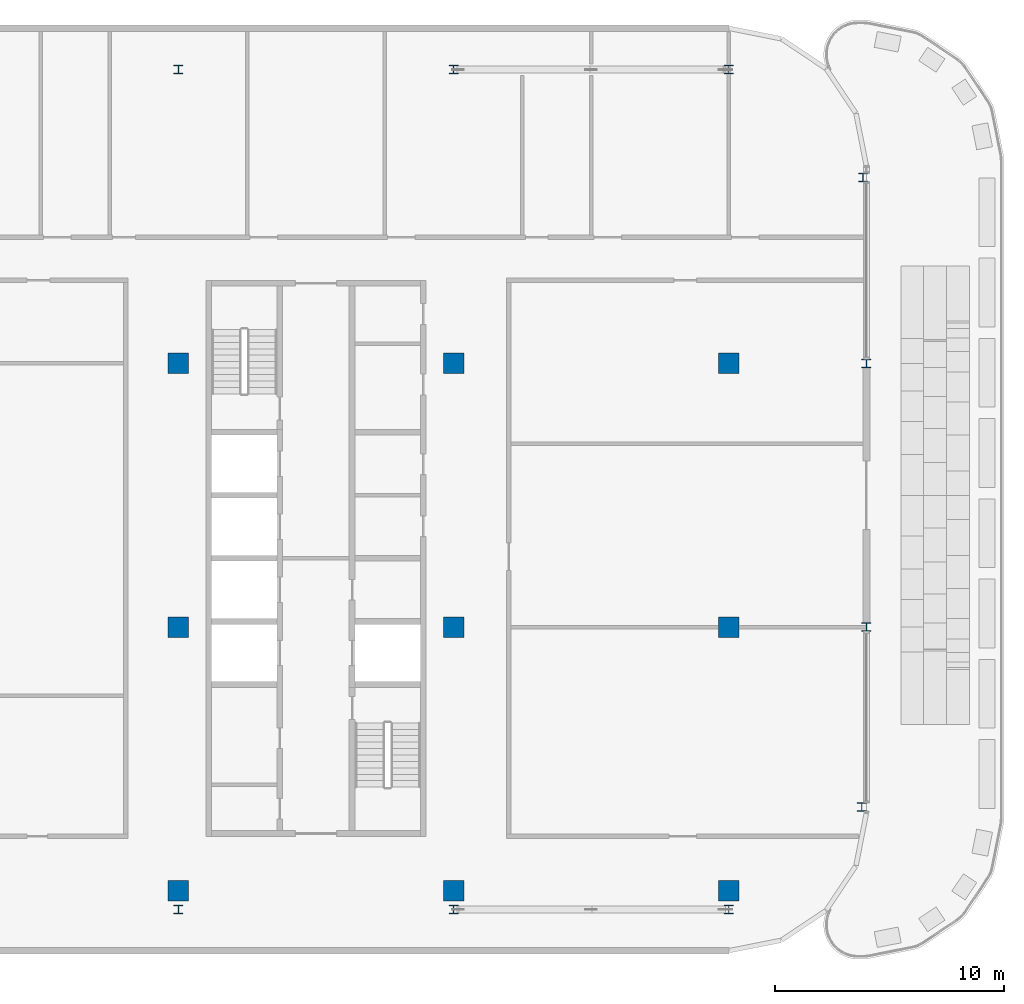
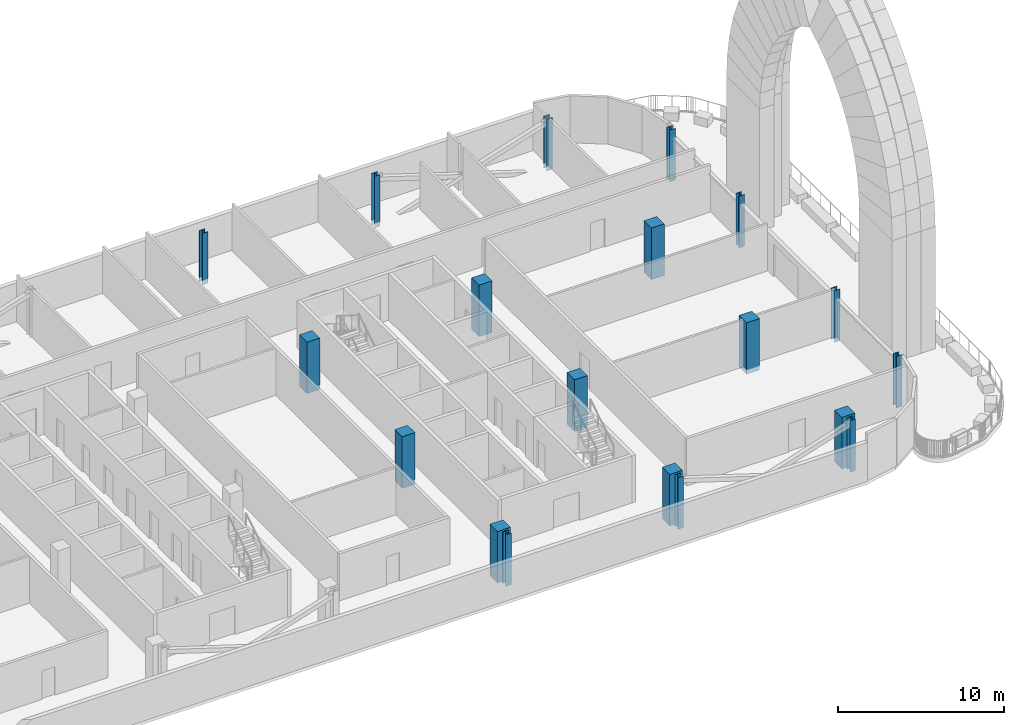
# One storey, part 4 of 30: 19 columns.
"""IFC4 building model written with IfcOpenShell, lengths in metres."""

from ifc_helpers import new_model, si_unit, direction, frame, origin, origin_2d, place, context, subcontext, project, spatial, rectangle, i_section, extrude, material, material_profile, profile_set, type_object, element, save


model = new_model("IFC4")

# Units and contexts
model_context = context("Model", 3, precision=1e-05, world=origin(), true_north=direction((0.0, 1.0)))
body_context = subcontext(model_context, "Body", "Model", "MODEL_VIEW")
ifc_project = project(units=[si_unit("LENGTHUNIT", "METRE"), si_unit("AREAUNIT", "SQUARE_METRE"), si_unit("VOLUMEUNIT", "CUBIC_METRE"), si_unit("PLANEANGLEUNIT", "RADIAN"), si_unit("MASSUNIT", "GRAM", prefix="KILO")], contexts=[model_context])

# Site, building, storey
site_placement = place(None, origin())
site = spatial("IfcSite", under=ifc_project, at=site_placement, CompositionType="ELEMENT")
building_placement = place(site_placement, origin())
building = spatial("IfcBuilding", under=site, at=building_placement, Name="Mahtab Terrace Research Tower", CompositionType="ELEMENT")
storey_placement = place(building_placement, frame((0.0, 0.0, 263.300048828125)))
storey = spatial("IfcBuildingStorey", under=building, at=storey_placement, Name="L64", CompositionType="ELEMENT", Elevation=263.300048828125)

# Columns
ifc_material_1 = material(Name="Concrete C70/85", Category="concrete")
ifc_material_profile_1 = material_profile(ifc_material_1, rectangle(XDim=0.89990234375, YDim=0.89990234375, at=origin_2d()), Name="RC column 900x900")
ifc_profile_set_1 = profile_set([ifc_material_profile_1], Name="Concrete C70/85")
column_type_1 = type_object("IfcColumnType", Name="RC column 900x900", PredefinedType="COLUMN", material=ifc_profile_set_1)
for number, where, z_axis, x_axis, name in (
    (1, (18.0, -11.5, -0.340087890625), (0.0, 0.0, 1.0), (1.0, 0.0, 0.0), "Column RC-6A L64"),
    (2, (18.0, 0.0, -0.340087890625), (0.0, 0.0, 1.0), (1.0, 0.0, 0.0), "Column RC-6B L64"),
    (3, (18.0, 11.5, -0.340087890625), (0.0, 0.0, 1.0), (1.0, 0.0, 0.0), "Column RC-6C L64"),
    (4, (30.0, -11.5, -0.340087890625), (0.0, 0.0, 1.0), (1.0, 0.0, 0.0), "Column RC-7A L64"),
    (5, (30.0, 0.0, -0.340087890625), (0.0, 0.0, 1.0), (1.0, 0.0, 0.0), "Column RC-7B L64"),
    (6, (30.0, 11.5, -0.340087890625), (0.0, 0.0, 1.0), (1.0, 0.0, 0.0), "Column RC-7C L64"),
    (7, (42.0, -11.5, -0.340087890625), (0.0, 0.0, 1.0), (1.0, 0.0, 0.0), "Column RC-8A L64"),
    (8, (42.0, 0.0, -0.340087890625), (0.0, 0.0, 1.0), (1.0, 0.0, 0.0), "Column RC-8B L64"),
    (9, (42.0, 11.5, -0.340087890625), (0.0, 0.0, 1.0), (1.0, 0.0, 0.0), "Column RC-8C L64"),
):
    element("IfcColumn", number, at=place(storey_placement, frame(where, z_axis=z_axis, x_axis=x_axis)), inside=storey, type_object=column_type_1, Name=name, PredefinedType="COLUMN", context=body_context, shape_type="SweptSolid", body=[
        extrude(rectangle(XDim=0.89990234375, YDim=0.89990234375, at=origin_2d()), origin(), (0.0, 0.0, 1.0), 3.800048828125),
    ])
ifc_material_2 = material(Name="Steel ASTM A992 Gr 50", Category="steel")
ifc_material_profile_2 = material_profile(ifc_material_2, i_section(OverallWidth=0.393798828125, OverallDepth=0.3759765625, WebThickness=0.017333984375, FlangeThickness=0.027587890625, at=origin_2d()), Name="W14X145")
ifc_profile_set_2 = profile_set([ifc_material_profile_2], Name="Steel ASTM A992 Gr 50")
column_type_2 = type_object("IfcColumnType", Name="W14x145 column CS14145", PredefinedType="COLUMN", material=ifc_profile_set_2)
for number, where, z_axis, x_axis, name in (
    (10, (47.85693359375, 19.60498046875, -0.340087890625), (0.0, 0.0, 1.0), (1.0, 0.0, 0.0), "Column SC-070 L64"),
    (11, (42.0, 24.306884765625, -0.340087890625), (0.0, 0.0, 1.0), (1.0, 0.0, 0.0), "Column SC-071 L64"),
    (12, (30.0, 24.306884765625, -0.340087890625), (0.0, 0.0, 1.0), (1.0, 0.0, 0.0), "Column SC-072 L64"),
    (13, (18.0, 24.306884765625, -0.340087890625), (0.0, 0.0, 1.0), (1.0, 0.0, 0.0), "Column SC-073 L64"),
    (14, (18.0, -12.306884765625, -0.340087890625), (0.0, 0.0, 1.0), (1.0, 0.0, 0.0), "Column SC-086 L64"),
    (15, (30.0, -12.306884765625, -0.340087890625), (0.0, 0.0, 1.0), (1.0, 0.0, 0.0), "Column SC-087 L64"),
    (16, (42.0, -12.306884765625, -0.340087890625), (0.0, 0.0, 1.0), (1.0, 0.0, 0.0), "Column SC-088 L64"),
    (17, (47.798095703125, -7.847900390625, -0.340087890625), (0.0, 0.0, 1.0), (1.0, 0.0, 0.0), "Column SC-089 L64"),
    (18, (48.0, 0.0, -0.340087890625), (0.0, 0.0, 1.0), (1.0, 0.0, 0.0), "Column SC-021 L64"),
    (19, (48.0, 11.5, -0.340087890625), (0.0, 0.0, 1.0), (1.0, 0.0, 0.0), "Column SC-022 L64"),
):
    element("IfcColumn", number, at=place(storey_placement, frame(where, z_axis=z_axis, x_axis=x_axis)), inside=storey, type_object=column_type_2, Name=name, PredefinedType="COLUMN", context=body_context, shape_type="SweptSolid", body=[
        extrude(i_section(OverallWidth=0.393798828125, OverallDepth=0.3759765625, WebThickness=0.017333984375, FlangeThickness=0.027587890625, at=origin_2d()), origin(), (0.0, 0.0, 1.0), 3.800048828125),
    ])

save(model, "model.ifc")
